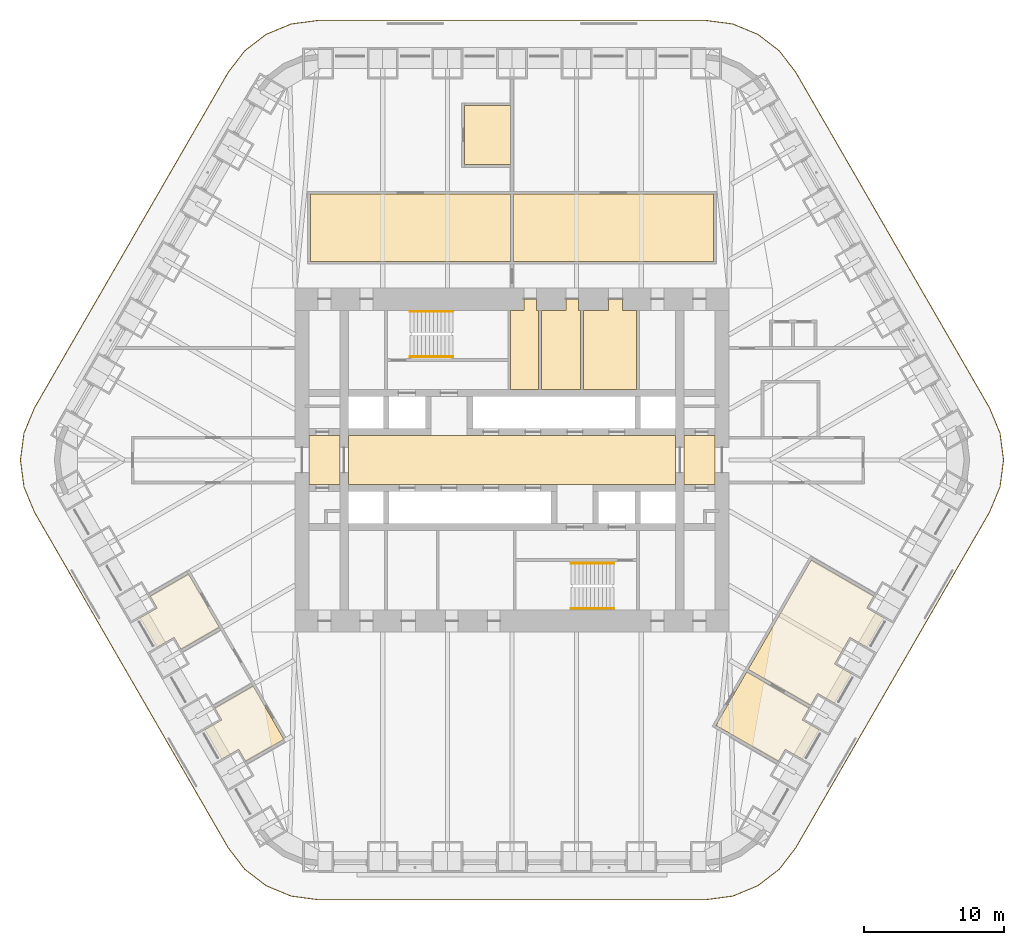
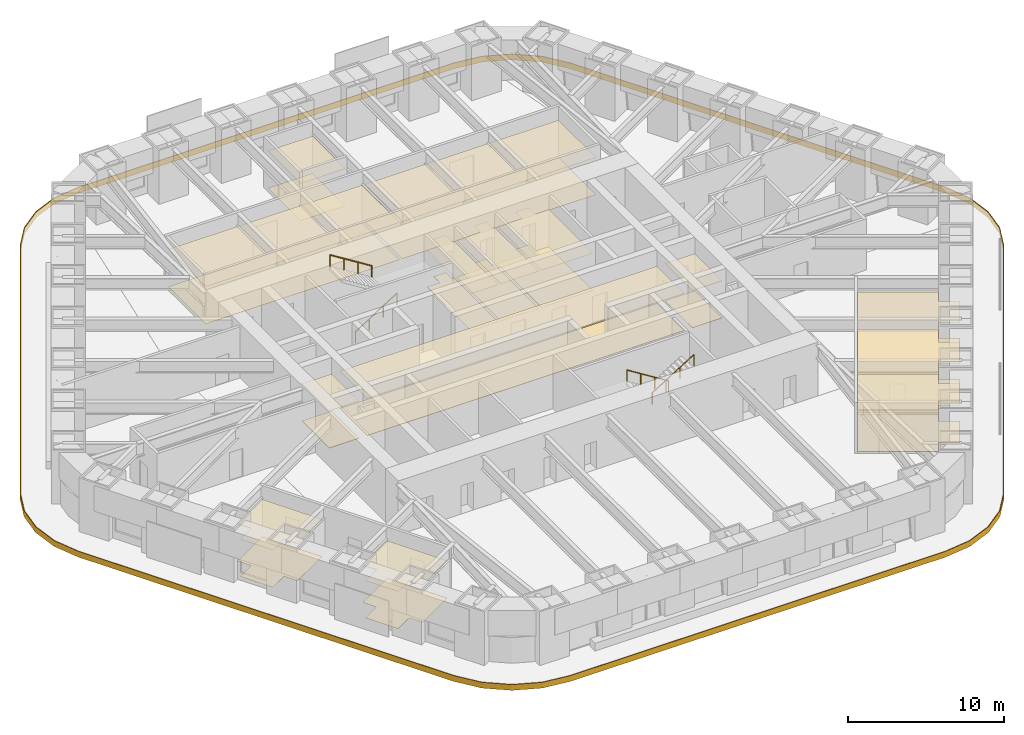
# One storey, part 19 of 20: 15 coverings, 4 railings.
"""IFC4 building model written with IfcOpenShell, lengths in metres."""

from ifc_helpers import new_model, si_unit, direction, frame, origin, origin_2d, place, context, subcontext, project, spatial, polyline, circle, outline, extrude, material, layer, layer_set, type_object, element, save


model = new_model("IFC4")

# Units and contexts
model_context = context("Model", 3, precision=1e-05, world=origin(), true_north=direction((0.0, 1.0)))
body_context = subcontext(model_context, "Body", "Model", "MODEL_VIEW")
ifc_project = project(units=[si_unit("LENGTHUNIT", "METRE"), si_unit("AREAUNIT", "SQUARE_METRE"), si_unit("VOLUMEUNIT", "CUBIC_METRE"), si_unit("PLANEANGLEUNIT", "RADIAN"), si_unit("MASSUNIT", "GRAM", prefix="KILO")], contexts=[model_context])

# Site, building, storey
site_placement = place(None, origin())
site = spatial("IfcSite", under=ifc_project, at=site_placement, CompositionType="ELEMENT")
building_placement = place(site_placement, origin())
building = spatial("IfcBuilding", under=site, at=building_placement, Name="Tarfa Lantern Tower", CompositionType="ELEMENT")
storey_placement = place(building_placement, frame((0.0, 0.0, 215.5)))
storey = spatial("IfcBuildingStorey", under=building, at=storey_placement, Name="L48", CompositionType="ELEMENT", Elevation=215.5)

# Coverings
ifc_material_1 = material(Name="Mineral fibre acoustic tile on suspension grid", Category="finish")
ifc_layer_1 = layer(ifc_material_1, 0.02001953125)
ifc_layer_set_1 = layer_set([ifc_layer_1], Name="CL1 ACOUSTIC TILE CEILING 20")
covering_type_1 = type_object("IfcCoveringType", Name="CL1 ACOUSTIC TILE CEILING 20", PredefinedType="CEILING", material=ifc_layer_set_1)
covering_1_placement = place(storey_placement, frame((0.0, 0.0, 2.89990234375)))
element("IfcCovering", 1, at=covering_1_placement, inside=storey, type_object=covering_type_1, Name="Ceiling L48 CL1", PredefinedType="CEILING", context=body_context, shape_type="SweptSolid", body=[
    extrude(outline(polyline([(-14.39990234375, 19.0), (-0.10009765625, 19.0), (-0.10009765625, 14.199951171875), (-14.39990234375, 14.199951171875), (-14.39990234375, 19.0)])), origin(), (0.0, 0.0, 1.0), 0.02001953125),
    extrude(outline(polyline([(0.10009765625, 19.0), (14.39990234375, 19.0), (14.39990234375, 14.199951171875), (0.10009765625, 14.199951171875), (0.10009765625, 19.0)])), origin(), (0.0, 0.0, 1.0), 0.02001953125),
    extrude(outline(polyline([(16.77978515625, -15.13671875), (21.23974609375, -17.711669921875), (20.73974609375, -18.57763671875), (21.9521484375, -19.277587890625), (20.742919921875, -21.372314453125), (19.5302734375, -20.67236328125), (19.0302734375, -21.538330078125), (14.5703125, -18.96337890625), (16.77978515625, -15.13671875)])), origin(), (0.0, 0.0, 1.0), 0.02001953125),
    extrude(outline(polyline([(21.398681640625, -7.13671875), (25.858642578125, -9.711669921875), (25.358642578125, -10.57763671875), (26.571044921875, -11.277587890625), (25.361572265625, -13.372314453125), (24.149169921875, -12.67236328125), (23.049072265625, -14.57763671875), (24.26171875, -15.277587890625), (23.05224609375, -17.372314453125), (21.83984375, -16.67236328125), (21.33984375, -17.538330078125), (16.879638671875, -14.96337890625), (21.398681640625, -7.13671875)])), origin(), (0.0, 0.0, 1.0), 0.02001953125),
    extrude(outline(polyline([(-20.921142578125, -11.96337890625), (-23.649169921875, -13.538330078125), (-24.149169921875, -12.67236328125), (-25.361572265625, -13.372314453125), (-26.571044921875, -11.277587890625), (-25.358642578125, -10.57763671875), (-25.858642578125, -9.711669921875), (-23.130615234375, -8.13671875), (-20.921142578125, -11.96337890625)])), origin(), (0.0, 0.0, 1.0), 0.02001953125),
    extrude(outline(polyline([(-16.302490234375, -19.96337890625), (-19.0302734375, -21.538330078125), (-19.5302734375, -20.67236328125), (-20.742919921875, -21.372314453125), (-21.9521484375, -19.277587890625), (-20.73974609375, -18.57763671875), (-21.23974609375, -17.711669921875), (-18.51171875, -16.13671875), (-16.302490234375, -19.96337890625)])), origin(), (0.0, 0.0, 1.0), 0.02001953125),
    extrude(outline(polyline([(-3.39990234375, 25.324951171875), (-0.10009765625, 25.324951171875), (-0.10009765625, 21.125), (-3.39990234375, 21.125), (-3.39990234375, 25.324951171875)])), origin(), (0.0, 0.0, 1.0), 0.02001953125),
])
ifc_material_2 = material(Name="Moisture-resistant plasterboard", Category="finish")
ifc_layer_2 = layer(ifc_material_2, 0.014892578125)
ifc_layer_set_2 = layer_set([ifc_layer_2], Name="CL2 MOISTURE-RESISTANT PLASTERBOARD CEILING 15")
covering_type_2 = type_object("IfcCoveringType", Name="CL2 MOISTURE-RESISTANT PLASTERBOARD CEILING 15", PredefinedType="CEILING", material=ifc_layer_set_2)
covering_2_placement = place(storey_placement, frame((0.0, 0.0, 2.89990234375)))
element("IfcCovering", 2, at=covering_2_placement, inside=storey, type_object=covering_type_2, Name="Ceiling L48-07", PredefinedType="CEILING", context=body_context, shape_type="SweptSolid", body=[
    extrude(outline(polyline([(0.85009765625, 10.699951171875), (-0.10009765625, 10.699951171875), (-0.10009765625, 5.050048828125), (1.89990234375, 5.050048828125), (1.89990234375, 10.699951171875), (1.75, 10.699951171875), (1.75, 11.5), (1.75, 11.5), (0.85009765625, 11.5), (0.85009765625, 10.699951171875)])), origin(), (0.0, 0.0, 1.0), 0.01513671875),
])
covering_3_placement = place(storey_placement, frame((0.0, 0.0, 2.89990234375)))
element("IfcCovering", 3, at=covering_3_placement, inside=storey, type_object=covering_type_2, Name="Ceiling L48-08", PredefinedType="CEILING", context=body_context, shape_type="SweptSolid", body=[
    extrude(outline(polyline([(2.10009765625, 5.050048828125), (4.89990234375, 5.050048828125), (4.89990234375, 10.699951171875), (4.75, 10.699951171875), (4.75, 11.5), (3.85009765625, 11.5), (3.85009765625, 10.699951171875), (2.10009765625, 10.699951171875), (2.10009765625, 5.050048828125)])), origin(), (0.0, 0.0, 1.0), 0.01513671875),
])
covering_4_placement = place(storey_placement, frame((0.0, 0.0, 2.89990234375)))
element("IfcCovering", 4, at=covering_4_placement, inside=storey, type_object=covering_type_2, Name="Ceiling L48-09", PredefinedType="CEILING", context=body_context, shape_type="SweptSolid", body=[
    extrude(outline(polyline([(5.10009765625, 5.050048828125), (8.89990234375, 5.050048828125), (8.89990234375, 10.699951171875), (7.89990234375, 10.699951171875), (7.89990234375, 11.5), (6.89990234375, 11.5), (6.89990234375, 10.699951171875), (5.10009765625, 10.699951171875), (5.10009765625, 5.050048828125)])), origin(), (0.0, 0.0, 1.0), 0.01513671875),
])
ifc_material_3 = material(Name="Powder-coated aluminium panel", Category="aluminium")
ifc_layer_3 = layer(ifc_material_3, 0.030029296875)
ifc_layer_set_3 = layer_set([ifc_layer_3], Name="CL3 METAL PANEL CEILING 30")
covering_type_3 = type_object("IfcCoveringType", Name="CL3 METAL PANEL CEILING 30", PredefinedType="CEILING", material=ifc_layer_set_3)
covering_5_placement = place(storey_placement, frame((0.0, 0.0, 2.89990234375)))
element("IfcCovering", 5, at=covering_5_placement, inside=storey, type_object=covering_type_3, Name="Ceiling L48-01", PredefinedType="CEILING", context=body_context, shape_type="SweptSolid", body=[
    extrude(outline(polyline([(-14.5, -1.75), (-12.300048828125, -1.75), (-12.300048828125, 1.75), (-14.5, 1.75), (-14.5, -1.75)])), origin(), (0.0, 0.0, 1.0), 0.030029296875),
])
covering_6_placement = place(storey_placement, frame((0.0, 0.0, 2.89990234375)))
element("IfcCovering", 6, at=covering_6_placement, inside=storey, type_object=covering_type_3, Name="Ceiling L48-02", PredefinedType="CEILING", context=body_context, shape_type="SweptSolid", body=[
    extrude(outline(polyline([(-11.699951171875, -1.75), (11.699951171875, -1.75), (11.699951171875, 1.75), (-11.699951171875, 1.75), (-11.699951171875, -1.75)])), origin(), (0.0, 0.0, 1.0), 0.030029296875),
])
covering_7_placement = place(storey_placement, frame((0.0, 0.0, 2.89990234375)))
element("IfcCovering", 7, at=covering_7_placement, inside=storey, type_object=covering_type_3, Name="Ceiling L48-03", PredefinedType="CEILING", context=body_context, shape_type="SweptSolid", body=[
    extrude(outline(polyline([(12.300048828125, -1.75), (14.5, -1.75), (14.5, 1.75), (12.300048828125, 1.75), (12.300048828125, -1.75)])), origin(), (0.0, 0.0, 1.0), 0.030029296875),
])
ifc_material_4 = material(Name="Nylon carpet tile", Category="finish")
ifc_layer_4 = layer(ifc_material_4, 0.010009765625)
ifc_layer_set_4 = layer_set([ifc_layer_4], Name="FL1 CARPET TILE 10")
covering_type_4 = type_object("IfcCoveringType", Name="FL1 CARPET TILE 10", PredefinedType="FLOORING", material=ifc_layer_set_4)
covering_8_placement = place(storey_placement, origin())
element("IfcCovering", 8, at=covering_8_placement, inside=storey, type_object=covering_type_4, Name="Floor finish L48 FL1", PredefinedType="FLOORING", context=body_context, shape_type="SweptSolid", body=[
    extrude(outline(polyline([(-14.39990234375, 19.0), (-0.10009765625, 19.0), (-0.10009765625, 14.199951171875), (-14.39990234375, 14.199951171875), (-14.39990234375, 19.0)])), origin(), (0.0, 0.0, 1.0), 0.010009765625),
    extrude(outline(polyline([(0.10009765625, 19.0), (14.39990234375, 19.0), (14.39990234375, 14.199951171875), (0.10009765625, 14.199951171875), (0.10009765625, 19.0)])), origin(), (0.0, 0.0, 1.0), 0.010009765625),
    extrude(outline(polyline([(16.77978515625, -15.13671875), (21.23974609375, -17.711669921875), (20.73974609375, -18.57763671875), (21.9521484375, -19.277587890625), (20.742919921875, -21.372314453125), (19.5302734375, -20.67236328125), (19.0302734375, -21.538330078125), (14.5703125, -18.96337890625), (16.77978515625, -15.13671875)])), origin(), (0.0, 0.0, 1.0), 0.010009765625),
    extrude(outline(polyline([(21.398681640625, -7.13671875), (25.858642578125, -9.711669921875), (25.358642578125, -10.57763671875), (26.571044921875, -11.277587890625), (25.361572265625, -13.372314453125), (24.149169921875, -12.67236328125), (23.049072265625, -14.57763671875), (24.26171875, -15.277587890625), (23.05224609375, -17.372314453125), (21.83984375, -16.67236328125), (21.33984375, -17.538330078125), (16.879638671875, -14.96337890625), (21.398681640625, -7.13671875)])), origin(), (0.0, 0.0, 1.0), 0.010009765625),
    extrude(outline(polyline([(-20.921142578125, -11.96337890625), (-23.649169921875, -13.538330078125), (-24.149169921875, -12.67236328125), (-25.361572265625, -13.372314453125), (-26.571044921875, -11.277587890625), (-25.358642578125, -10.57763671875), (-25.858642578125, -9.711669921875), (-23.130615234375, -8.13671875), (-20.921142578125, -11.96337890625)])), origin(), (0.0, 0.0, 1.0), 0.010009765625),
    extrude(outline(polyline([(-16.302490234375, -19.96337890625), (-19.0302734375, -21.538330078125), (-19.5302734375, -20.67236328125), (-20.742919921875, -21.372314453125), (-21.9521484375, -19.277587890625), (-20.73974609375, -18.57763671875), (-21.23974609375, -17.711669921875), (-18.51171875, -16.13671875), (-16.302490234375, -19.96337890625)])), origin(), (0.0, 0.0, 1.0), 0.010009765625),
    extrude(outline(polyline([(-3.39990234375, 25.324951171875), (-0.10009765625, 25.324951171875), (-0.10009765625, 21.125), (-3.39990234375, 21.125), (-3.39990234375, 25.324951171875)])), origin(), (0.0, 0.0, 1.0), 0.010009765625),
])
ifc_material_5 = material(Name="Honed limestone flooring", Category="masonry")
ifc_layer_5 = layer(ifc_material_5, 0.030029296875)
ifc_layer_set_5 = layer_set([ifc_layer_5], Name="FL2 STONE FLOORING 30")
covering_type_5 = type_object("IfcCoveringType", Name="FL2 STONE FLOORING 30", PredefinedType="FLOORING", material=ifc_layer_set_5)
covering_9_placement = place(storey_placement, origin())
element("IfcCovering", 9, at=covering_9_placement, inside=storey, type_object=covering_type_5, Name="Floor finish L48-01", PredefinedType="FLOORING", context=body_context, shape_type="SweptSolid", body=[
    extrude(outline(polyline([(-14.5, -1.75), (-12.300048828125, -1.75), (-12.300048828125, 1.75), (-14.5, 1.75), (-14.5, -1.75)])), origin(), (0.0, 0.0, 1.0), 0.030029296875),
])
covering_10_placement = place(storey_placement, origin())
element("IfcCovering", 10, at=covering_10_placement, inside=storey, type_object=covering_type_5, Name="Floor finish L48-02", PredefinedType="FLOORING", context=body_context, shape_type="SweptSolid", body=[
    extrude(outline(polyline([(-11.699951171875, -1.75), (11.699951171875, -1.75), (11.699951171875, 1.75), (-11.699951171875, 1.75), (-11.699951171875, -1.75)])), origin(), (0.0, 0.0, 1.0), 0.030029296875),
])
covering_11_placement = place(storey_placement, origin())
element("IfcCovering", 11, at=covering_11_placement, inside=storey, type_object=covering_type_5, Name="Floor finish L48-03", PredefinedType="FLOORING", context=body_context, shape_type="SweptSolid", body=[
    extrude(outline(polyline([(12.300048828125, -1.75), (14.5, -1.75), (14.5, 1.75), (12.300048828125, 1.75), (12.300048828125, -1.75)])), origin(), (0.0, 0.0, 1.0), 0.030029296875),
])
ifc_material_6 = material(Name="Porcelain floor tile", Category="finish")
ifc_layer_6 = layer(ifc_material_6, 0.011962890625)
ifc_layer_set_6 = layer_set([ifc_layer_6], Name="FL3 CERAMIC TILE 12")
covering_type_6 = type_object("IfcCoveringType", Name="FL3 CERAMIC TILE 12", PredefinedType="FLOORING", material=ifc_layer_set_6)
covering_12_placement = place(storey_placement, origin())
element("IfcCovering", 12, at=covering_12_placement, inside=storey, type_object=covering_type_6, Name="Floor finish L48-07", PredefinedType="FLOORING", context=body_context, shape_type="SweptSolid", body=[
    extrude(outline(polyline([(0.85009765625, 10.699951171875), (-0.10009765625, 10.699951171875), (-0.10009765625, 5.050048828125), (1.89990234375, 5.050048828125), (1.89990234375, 10.699951171875), (1.75, 10.699951171875), (1.75, 11.5), (1.75, 11.5), (0.85009765625, 11.5), (0.85009765625, 10.699951171875)])), origin(), (0.0, 0.0, 1.0), 0.011962890625),
])
covering_13_placement = place(storey_placement, origin())
element("IfcCovering", 13, at=covering_13_placement, inside=storey, type_object=covering_type_6, Name="Floor finish L48-08", PredefinedType="FLOORING", context=body_context, shape_type="SweptSolid", body=[
    extrude(outline(polyline([(2.10009765625, 5.050048828125), (4.89990234375, 5.050048828125), (4.89990234375, 10.699951171875), (4.75, 10.699951171875), (4.75, 11.5), (3.85009765625, 11.5), (3.85009765625, 10.699951171875), (2.10009765625, 10.699951171875), (2.10009765625, 5.050048828125)])), origin(), (0.0, 0.0, 1.0), 0.011962890625),
])
covering_14_placement = place(storey_placement, origin())
element("IfcCovering", 14, at=covering_14_placement, inside=storey, type_object=covering_type_6, Name="Floor finish L48-09", PredefinedType="FLOORING", context=body_context, shape_type="SweptSolid", body=[
    extrude(outline(polyline([(5.10009765625, 5.050048828125), (8.89990234375, 5.050048828125), (8.89990234375, 10.699951171875), (7.89990234375, 10.699951171875), (7.89990234375, 11.5), (6.89990234375, 11.5), (6.89990234375, 10.699951171875), (5.10009765625, 10.699951171875), (5.10009765625, 5.050048828125)])), origin(), (0.0, 0.0, 1.0), 0.011962890625),
])

# Railings
ifc_material_7 = material(Name="Stainless steel", Category="steel")
railing_type = type_object("IfcRailingType", Name="HR1 HANDRAIL 900", PredefinedType="HANDRAIL", material=ifc_material_7)
railing_1_placement = place(storey_placement, frame((-7.300048828125, 7.3798828125, 0.175048828125)))
element("IfcRailing", 15, at=railing_1_placement, inside=storey, type_object=railing_type, Name="Handrail 1", PredefinedType="HANDRAIL", context=body_context, shape_type="SweptSolid", body=[
    extrude(circle(Radius=0.02392578125, at=origin_2d()), frame((0.0, 0.0, 0.8759765625), z_axis=(0.847998304005, 0.0, 0.529998940003), x_axis=(0.0, 1.0, 0.0)), (0.0, 0.0, 1.0), 3.632080078125),
    extrude(circle(Radius=0.02099609375, at=origin_2d()), frame((0.0, 0.0, 0.0), z_axis=(0.0, 0.0, 1.0), x_axis=(0.0, 1.0, 0.0)), (0.0, 0.0, 1.0), 0.851806640625),
    extrude(circle(Radius=0.02099609375, at=origin_2d()), frame((1.026611328125, 0.0, 0.6416015625), z_axis=(0.0, 0.0, 1.0), x_axis=(0.0, 1.0, 0.0)), (0.0, 0.0, 1.0), 0.851806640625),
    extrude(circle(Radius=0.02099609375, at=origin_2d()), frame((2.053466796875, 0.0, 1.283447265625), z_axis=(0.0, 0.0, 1.0), x_axis=(0.0, 1.0, 0.0)), (0.0, 0.0, 1.0), 0.851806640625),
    extrude(circle(Radius=0.02099609375, at=origin_2d()), frame((3.080078125, 0.0, 1.925048828125), z_axis=(0.0, 0.0, 1.0), x_axis=(0.0, 1.0, 0.0)), (0.0, 0.0, 1.0), 0.851806640625),
])
for number, where, name in (
    (16, (-4.219970703125, 10.6201171875, 2.27490234375), "Handrail 2"),
    (17, (7.300048828125, -7.3798828125, 0.175048828125), "Handrail 1"),
):
    element("IfcRailing", number, at=place(storey_placement, frame(where)), inside=storey, type_object=railing_type, Name=name, PredefinedType="HANDRAIL", context=body_context, shape_type="SweptSolid", body=[
        extrude(circle(Radius=0.02392578125, at=origin_2d()), frame((0.0, 0.0, 0.8759765625), z_axis=(-0.847998304005, 0.0, 0.529998940003), x_axis=(0.0, -1.0, 0.0)), (0.0, 0.0, 1.0), 3.632080078125),
        extrude(circle(Radius=0.02099609375, at=origin_2d()), frame((0.0, 0.0, 0.0), z_axis=(0.0, 0.0, 1.0), x_axis=(0.0, -1.0, 0.0)), (0.0, 0.0, 1.0), 0.851806640625),
        extrude(circle(Radius=0.02099609375, at=origin_2d()), frame((-1.026611328125, 0.0, 0.6416015625), z_axis=(0.0, 0.0, 1.0), x_axis=(0.0, -1.0, 0.0)), (0.0, 0.0, 1.0), 0.851806640625),
        extrude(circle(Radius=0.02099609375, at=origin_2d()), frame((-2.053466796875, 0.0, 1.283447265625), z_axis=(0.0, 0.0, 1.0), x_axis=(0.0, -1.0, 0.0)), (0.0, 0.0, 1.0), 0.851806640625),
        extrude(circle(Radius=0.02099609375, at=origin_2d()), frame((-3.080078125, 0.0, 1.925048828125), z_axis=(0.0, 0.0, 1.0), x_axis=(0.0, -1.0, 0.0)), (0.0, 0.0, 1.0), 0.851806640625),
    ])
railing_2_placement = place(storey_placement, frame((4.219970703125, -10.6201171875, 2.27490234375)))
element("IfcRailing", 18, at=railing_2_placement, inside=storey, type_object=railing_type, Name="Handrail 2", PredefinedType="HANDRAIL", context=body_context, shape_type="SweptSolid", body=[
    extrude(circle(Radius=0.02392578125, at=origin_2d()), frame((0.0, 0.0, 0.8759765625), z_axis=(0.847998304005, 0.0, 0.529998940003), x_axis=(0.0, 1.0, 0.0)), (0.0, 0.0, 1.0), 3.632080078125),
    extrude(circle(Radius=0.02099609375, at=origin_2d()), frame((0.0, 0.0, 0.0), z_axis=(0.0, 0.0, 1.0), x_axis=(0.0, 1.0, 0.0)), (0.0, 0.0, 1.0), 0.851806640625),
    extrude(circle(Radius=0.02099609375, at=origin_2d()), frame((1.026611328125, 0.0, 0.6416015625), z_axis=(0.0, 0.0, 1.0), x_axis=(0.0, 1.0, 0.0)), (0.0, 0.0, 1.0), 0.851806640625),
    extrude(circle(Radius=0.02099609375, at=origin_2d()), frame((2.053466796875, 0.0, 1.283447265625), z_axis=(0.0, 0.0, 1.0), x_axis=(0.0, 1.0, 0.0)), (0.0, 0.0, 1.0), 0.851806640625),
    extrude(circle(Radius=0.02099609375, at=origin_2d()), frame((3.080078125, 0.0, 1.925048828125), z_axis=(0.0, 0.0, 1.0), x_axis=(0.0, 1.0, 0.0)), (0.0, 0.0, 1.0), 0.851806640625),
])

# Covering
ifc_material_8 = material(Name="Limestone cladding on brackets", Category="masonry")
ifc_layer_7 = layer(ifc_material_8, 0.050048828125)
ifc_layer_set_7 = layer_set([ifc_layer_7], Name="SB1 STONE BAND CLADDING 50")
covering_type_7 = type_object("IfcCoveringType", Name="SB1 STONE BAND CLADDING 50", PredefinedType="CLADDING", material=ifc_layer_set_7)
covering_15_placement = place(storey_placement, frame((0.0, 0.0, -0.39990234375)))
element("IfcCovering", 19, at=covering_15_placement, inside=storey, type_object=covering_type_7, Name="Stone band", PredefinedType="CLADDING", context=body_context, shape_type="SweptSolid", body=[
    extrude(outline(polyline([(34.164794921875, 3.72509765625), (20.308349609375, 27.72509765625), (19.124267578125, 29.26806640625), (17.581298828125, 30.451904296875), (15.78466796875, 31.196044921875), (13.8564453125, 31.449951171875), (-13.8564453125, 31.449951171875), (-15.78466796875, 31.196044921875), (-17.581298828125, 30.451904296875), (-19.124267578125, 29.26806640625), (-20.308349609375, 27.72509765625), (-34.164794921875, 3.72509765625), (-34.908935546875, 1.92822265625), (-35.162841796875, 0.0), (-34.908935546875, -1.92822265625), (-34.164794921875, -3.72509765625), (-20.308349609375, -27.72509765625), (-19.124267578125, -29.26806640625), (-17.581298828125, -30.451904296875), (-15.78466796875, -31.196044921875), (-13.8564453125, -31.449951171875), (13.8564453125, -31.449951171875), (15.78466796875, -31.196044921875), (17.581298828125, -30.451904296875), (19.124267578125, -29.26806640625), (20.308349609375, -27.72509765625), (34.164794921875, -3.72509765625), (34.908935546875, -1.92822265625), (35.162841796875, 0.0), (34.908935546875, 1.92822265625), (34.164794921875, 3.72509765625)]), holes=[polyline([(34.121337890625, 3.699951171875), (20.264892578125, 27.699951171875), (19.089111328125, 29.232666015625), (17.556396484375, 30.40869140625), (15.771728515625, 31.14794921875), (13.8564453125, 31.39990234375), (-13.8564453125, 31.39990234375), (-15.771728515625, 31.14794921875), (-17.556396484375, 30.40869140625), (-19.089111328125, 29.232666015625), (-20.264892578125, 27.699951171875), (-34.121337890625, 3.699951171875), (-34.860595703125, 1.915283203125), (-35.11279296875, 0.0), (-34.860595703125, -1.915283203125), (-34.121337890625, -3.699951171875), (-20.264892578125, -27.699951171875), (-19.089111328125, -29.232666015625), (-17.556396484375, -30.40869140625), (-15.771728515625, -31.14794921875), (-13.8564453125, -31.39990234375), (13.8564453125, -31.39990234375), (15.771728515625, -31.14794921875), (17.556396484375, -30.40869140625), (19.089111328125, -29.232666015625), (20.264892578125, -27.699951171875), (34.121337890625, -3.699951171875), (34.860595703125, -1.915283203125), (35.11279296875, 0.0), (34.860595703125, 1.915283203125), (34.121337890625, 3.699951171875)])]), origin(), (0.0, 0.0, 1.0), 0.449951171875),
])

save(model, "model.ifc")
